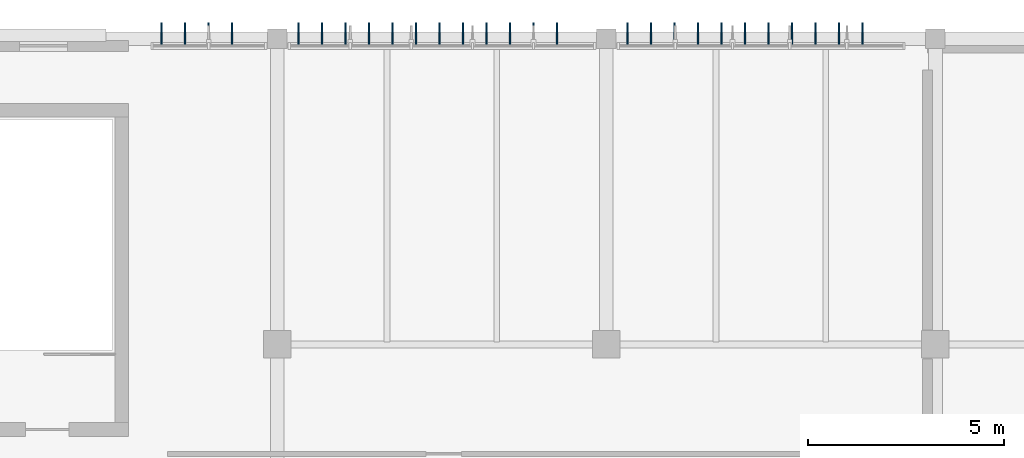
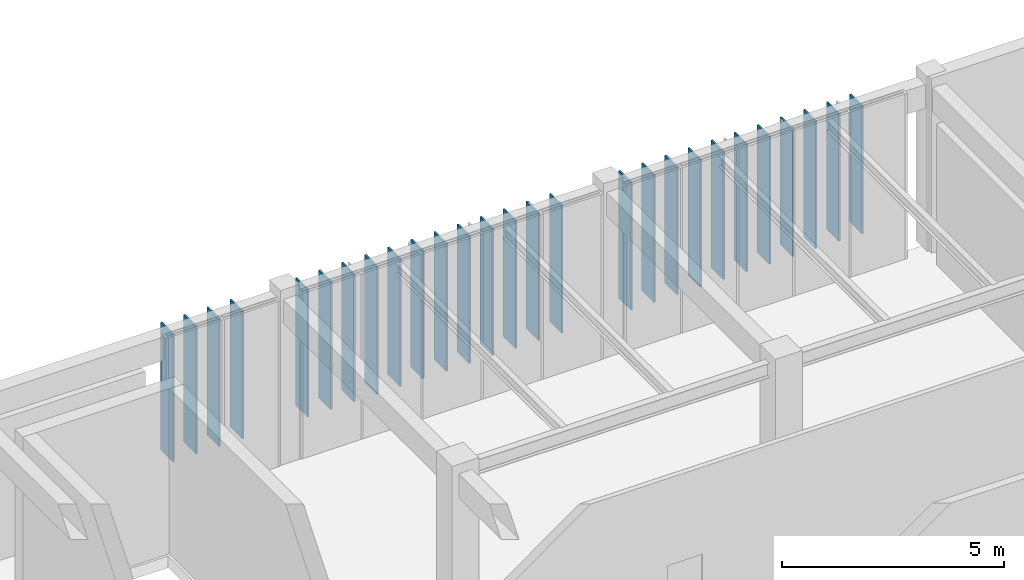
# One storey, part 30 of 122: 27 plates.
"""IFC4 building model written with IfcOpenShell, lengths in metres."""

from ifc_helpers import new_model, si_unit, direction, frame, origin, origin_2d, place, context, subcontext, project, spatial, rectangle, extrude, material, layer, layer_set, type_object, element, save


model = new_model("IFC4")

# Units and contexts
model_context = context("Model", 3, precision=1e-05, world=origin(), true_north=direction((0.0, 1.0)))
body_context = subcontext(model_context, "Body", "Model", "MODEL_VIEW")
ifc_project = project(units=[si_unit("LENGTHUNIT", "METRE"), si_unit("AREAUNIT", "SQUARE_METRE"), si_unit("VOLUMEUNIT", "CUBIC_METRE"), si_unit("PLANEANGLEUNIT", "RADIAN"), si_unit("MASSUNIT", "GRAM", prefix="KILO")], contexts=[model_context])

# Site, building, storey
site_placement = place(None, origin())
site = spatial("IfcSite", under=ifc_project, at=site_placement, CompositionType="ELEMENT")
building_placement = place(site_placement, origin())
building = spatial("IfcBuilding", under=site, at=building_placement, Name="Tazoul Stagehouse", CompositionType="ELEMENT")
storey_placement = place(building_placement, origin())
storey = spatial("IfcBuildingStorey", under=building, at=storey_placement, Name="L00", CompositionType="ELEMENT", Elevation=0.0)

# Plates
ifc_material = material(Name="Anodised Bronze Aluminium 6063-T6", Category="aluminium")
ifc_layer = layer(ifc_material, 0.550048828125, Name="Anodised Bronze Aluminium 6063-T6")
ifc_layer_set = layer_set([ifc_layer], Name="Anodised Bronze Aluminium 6063-T6")
plate_type = type_object("IfcPlateType", Name="Parametric Terracotta-Bronze Solar Fin 550x3500", PredefinedType="USERDEFINED", material=ifc_layer_set)
for number, where, z_axis, x_axis, name in (
    (1, (130.840087890625, 111.93505859375, 0.989990234375), (0.0, 0.0, 1.0), (1.0, 0.0, 0.0), "L00 Parametric Solar Fin SFN-21 (CW-V3-N3-L00-B1-01)"),
    (2, (131.43994140625, 111.93505859375, 0.989990234375), (0.0, 0.0, 1.0), (1.0, 0.0, 0.0), "L00 Parametric Solar Fin SFN-21 (CW-V3-N3-L00-B1-02)"),
    (3, (132.0400390625, 111.93505859375, 0.989990234375), (0.0, 0.0, 1.0), (1.0, 0.0, 0.0), "L00 Parametric Solar Fin SFN-21 (CW-V3-N3-L00-B1-03)"),
    (4, (132.639892578125, 111.93505859375, 0.989990234375), (0.0, 0.0, 1.0), (1.0, 0.0, 0.0), "L00 Parametric Solar Fin SFN-21 (CW-V3-N3-L00-B1-04)"),
    (5, (134.340087890625, 111.93505859375, 0.989990234375), (0.0, 0.0, 1.0), (1.0, 0.0, 0.0), "L00 Parametric Solar Fin SFN-21 (CW-V3-N3-L00-B2-01)"),
    (6, (134.93994140625, 111.93505859375, 0.989990234375), (0.0, 0.0, 1.0), (1.0, 0.0, 0.0), "L00 Parametric Solar Fin SFN-21 (CW-V3-N3-L00-B2-02)"),
    (7, (135.5400390625, 111.93505859375, 0.989990234375), (0.0, 0.0, 1.0), (1.0, 0.0, 0.0), "L00 Parametric Solar Fin SFN-21 (CW-V3-N3-L00-B2-03)"),
    (8, (136.139892578125, 111.93505859375, 0.989990234375), (0.0, 0.0, 1.0), (1.0, 0.0, 0.0), "L00 Parametric Solar Fin SFN-21 (CW-V3-N3-L00-B2-04)"),
    (9, (136.739990234375, 111.93505859375, 0.989990234375), (0.0, 0.0, 1.0), (1.0, 0.0, 0.0), "L00 Parametric Solar Fin SFN-21 (CW-V3-N3-L00-B2-05)"),
    (10, (137.340087890625, 111.93505859375, 0.989990234375), (0.0, 0.0, 1.0), (1.0, 0.0, 0.0), "L00 Parametric Solar Fin SFN-21 (CW-V3-N3-L00-B2-06)"),
    (11, (137.93994140625, 111.93505859375, 0.989990234375), (0.0, 0.0, 1.0), (1.0, 0.0, 0.0), "L00 Parametric Solar Fin SFN-21 (CW-V3-N3-L00-B2-07)"),
    (12, (138.5400390625, 111.93505859375, 0.989990234375), (0.0, 0.0, 1.0), (1.0, 0.0, 0.0), "L00 Parametric Solar Fin SFN-21 (CW-V3-N3-L00-B2-08)"),
    (13, (139.139892578125, 111.93505859375, 0.989990234375), (0.0, 0.0, 1.0), (1.0, 0.0, 0.0), "L00 Parametric Solar Fin SFN-21 (CW-V3-N3-L00-B2-09)"),
    (14, (139.739990234375, 111.93505859375, 0.989990234375), (0.0, 0.0, 1.0), (1.0, 0.0, 0.0), "L00 Parametric Solar Fin SFN-21 (CW-V3-N3-L00-B2-10)"),
    (15, (140.340087890625, 111.93505859375, 0.989990234375), (0.0, 0.0, 1.0), (1.0, 0.0, 0.0), "L00 Parametric Solar Fin SFN-21 (CW-V3-N3-L00-B2-11)"),
    (16, (140.93994140625, 111.93505859375, 0.989990234375), (0.0, 0.0, 1.0), (1.0, 0.0, 0.0), "L00 Parametric Solar Fin SFN-21 (CW-V3-N3-L00-B2-12)"),
    (17, (142.739990234375, 111.93505859375, 0.989990234375), (0.0, 0.0, 1.0), (1.0, 0.0, 0.0), "L00 Parametric Solar Fin SFN-21 (CW-V3-N3-L00-B3-01)"),
    (18, (143.340087890625, 111.93505859375, 0.989990234375), (0.0, 0.0, 1.0), (1.0, 0.0, 0.0), "L00 Parametric Solar Fin SFN-21 (CW-V3-N3-L00-B3-02)"),
    (19, (143.93994140625, 111.93505859375, 0.989990234375), (0.0, 0.0, 1.0), (1.0, 0.0, 0.0), "L00 Parametric Solar Fin SFN-21 (CW-V3-N3-L00-B3-03)"),
    (20, (144.5400390625, 111.93505859375, 0.989990234375), (0.0, 0.0, 1.0), (1.0, 0.0, 0.0), "L00 Parametric Solar Fin SFN-21 (CW-V3-N3-L00-B3-04)"),
    (21, (145.139892578125, 111.93505859375, 0.989990234375), (0.0, 0.0, 1.0), (1.0, 0.0, 0.0), "L00 Parametric Solar Fin SFN-21 (CW-V3-N3-L00-B3-05)"),
    (22, (145.739990234375, 111.93505859375, 0.989990234375), (0.0, 0.0, 1.0), (1.0, 0.0, 0.0), "L00 Parametric Solar Fin SFN-21 (CW-V3-N3-L00-B3-06)"),
    (23, (146.340087890625, 111.93505859375, 0.989990234375), (0.0, 0.0, 1.0), (1.0, 0.0, 0.0), "L00 Parametric Solar Fin SFN-21 (CW-V3-N3-L00-B3-07)"),
    (24, (146.93994140625, 111.93505859375, 0.989990234375), (0.0, 0.0, 1.0), (1.0, 0.0, 0.0), "L00 Parametric Solar Fin SFN-21 (CW-V3-N3-L00-B3-08)"),
    (25, (147.5400390625, 111.93505859375, 0.989990234375), (0.0, 0.0, 1.0), (1.0, 0.0, 0.0), "L00 Parametric Solar Fin SFN-21 (CW-V3-N3-L00-B3-09)"),
    (26, (148.139892578125, 111.93505859375, 0.989990234375), (0.0, 0.0, 1.0), (1.0, 0.0, 0.0), "L00 Parametric Solar Fin SFN-21 (CW-V3-N3-L00-B3-10)"),
    (27, (148.739990234375, 111.93505859375, 0.989990234375), (0.0, 0.0, 1.0), (1.0, 0.0, 0.0), "L00 Parametric Solar Fin SFN-21 (CW-V3-N3-L00-B3-11)"),
):
    element("IfcPlate", number, at=place(storey_placement, frame(where, z_axis=z_axis, x_axis=x_axis)), inside=storey, type_object=plate_type, Name=name, ObjectType="SOLAR FIN", PredefinedType="USERDEFINED", context=body_context, shape_type="SweptSolid", body=[
        extrude(rectangle(XDim=0.044921875, YDim=0.550048828125, at=origin_2d()), origin(), (0.0, 0.0, 1.0), 3.5),
    ])

save(model, "model.ifc")
